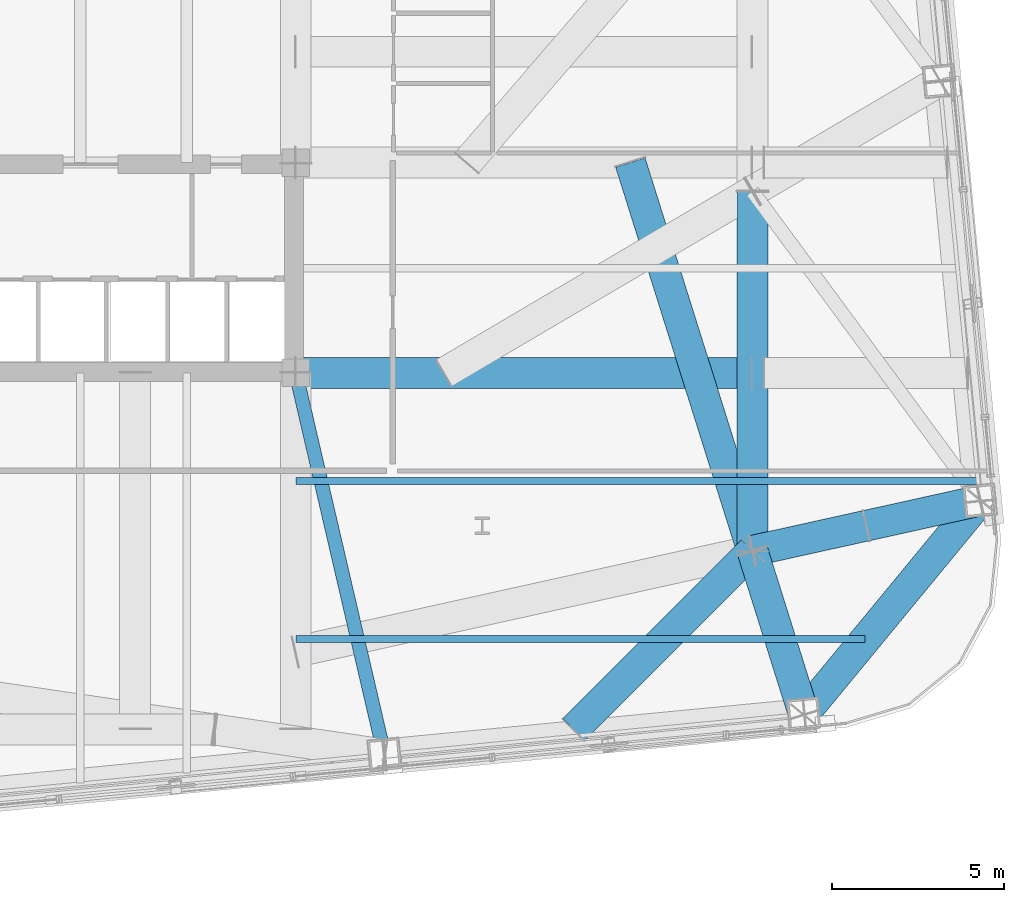
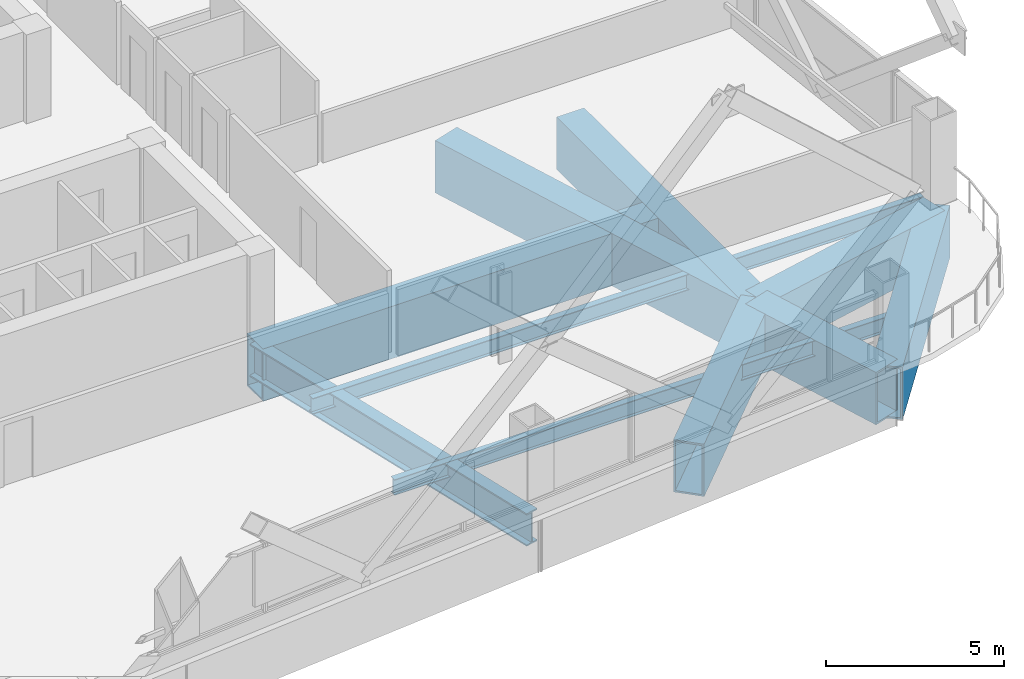
# One storey, part 17 of 42: 10 beams.
"""IFC4 building model written with IfcOpenShell, lengths in metres."""

import ifcopenshell
import ifcopenshell.guid

model = None  # the IFC model being written
_history = None  # IfcOwnerHistory: only IFC2X3 demands one
_inside = {}  # id of a spatial element -> (the spatial element, [elements in it])
_under = {}  # id of a project, library or spatial element -> (it, [spatial elements below it])
_declared = {}  # id of a project -> (the project, [libraries it declares])
_typed = {}  # id of a type object -> (the type object, [elements of that type])
_made_of = {}  # id of a material, layer set ... -> (it, [elements and type objects made of it])


def new_model(schema):
    """Start an empty IFC model of exactly this schema.

    Asked for "IFC4X3", IfcOpenShell would pick the latest addendum, in which some entities
    have other attributes; the version numbers below select the first issue.
    IFC2X3 requires an IfcOwnerHistory on every rooted entity: one is made here for all.
    """
    global model, _history
    if schema == "IFC4X3":
        model = ifcopenshell.file(schema_version=(4, 3, 0, 0))
    else:
        model = ifcopenshell.file(schema=schema)
    _inside.clear()
    _under.clear()
    _declared.clear()
    _typed.clear()
    _made_of.clear()
    _history = None
    if model.schema == "IFC2X3":
        org = make("IfcOrganization", Name="unknown")
        user = make(
            "IfcPersonAndOrganization",
            ThePerson=make("IfcPerson", FamilyName="unknown"),
            TheOrganization=org,
        )
        app = make(
            "IfcApplication",
            ApplicationDeveloper=org,
            Version="unknown",
            ApplicationFullName="unknown",
            ApplicationIdentifier="unknown",
        )
        _history = make(
            "IfcOwnerHistory",
            OwningUser=user,
            OwningApplication=app,
            ChangeAction="ADDED",
            CreationDate=0,
        )
    return model


def make(cls, **values):
    """One entity of the class cls with the attributes given. An attribute that is None is left unset."""
    return model.create_entity(
        cls, **{name: value for name, value in values.items() if value is not None}
    )


def rooted(cls, **values):
    """An entity with a GlobalId (a new one), such as an element, a storey or a relation."""
    return make(cls, GlobalId=ifcopenshell.guid.new(), OwnerHistory=_history, **values)


def si_unit(unit_type, name, prefix=None):
    """IfcSIUnit, for example si_unit("LENGTHUNIT", "METRE", prefix="MILLI")."""
    return make("IfcSIUnit", UnitType=unit_type, Prefix=prefix, Name=name)


def assignment(units):
    """IfcUnitAssignment: the units of a project."""
    return None if units is None else make("IfcUnitAssignment", Units=units)


def point(xyz):
    """IfcCartesianPoint."""
    return None if xyz is None else make("IfcCartesianPoint", Coordinates=xyz)


def direction(xyz):
    """IfcDirection."""
    return None if xyz is None else make("IfcDirection", DirectionRatios=xyz)


def frame(location, z_axis=None, x_axis=None):
    """IfcAxis2Placement3D, a coordinate frame: its origin and axes. An axis left out is left unset."""
    return make(
        "IfcAxis2Placement3D",
        Location=point(location),
        Axis=direction(z_axis),
        RefDirection=direction(x_axis),
    )


def frame_2d(location, x_axis=None):
    """IfcAxis2Placement2D, a coordinate frame in the plane: its origin and x axis."""
    return make(
        "IfcAxis2Placement2D", Location=point(location), RefDirection=direction(x_axis)
    )


def origin():
    """The frame at (0, 0, 0) with its axes left unset."""
    return frame((0.0, 0.0, 0.0))


def origin_2d():
    """The frame at (0, 0) in the plane with its x axis left unset."""
    return frame_2d((0.0, 0.0))


def place(relative_to, where):
    """IfcLocalPlacement: puts the frame where relative to a parent placement (None: the world)."""
    return make(
        "IfcLocalPlacement", PlacementRelTo=relative_to, RelativePlacement=where
    )


def context(
    kind, dimensions, precision=None, world=None, true_north=None, identifier=None
):
    """IfcGeometricRepresentationContext, for example the 3D "Model" context."""
    return make(
        "IfcGeometricRepresentationContext",
        ContextIdentifier=identifier,
        ContextType=kind,
        CoordinateSpaceDimension=dimensions,
        Precision=precision,
        WorldCoordinateSystem=world,
        TrueNorth=true_north,
    )


def subcontext(parent, identifier, kind, view, scale=None):
    """IfcGeometricRepresentationSubContext, for example "Body" below "Model"."""
    return make(
        "IfcGeometricRepresentationSubContext",
        ContextIdentifier=identifier,
        ContextType=kind,
        ParentContext=parent,
        TargetScale=scale,
        TargetView=view,
    )


def project(units=None, contexts=None):
    """IfcProject with its units and contexts."""
    return rooted(
        "IfcProject",
        Name="project",
        RepresentationContexts=contexts,
        UnitsInContext=assignment(units),
    )


def spatial(cls, under=None, at=None, **own):
    """A site, building, storey or space (cls), placed at a placement, below another one or the project."""
    s = rooted(cls, ObjectPlacement=at, **own)
    if under is not None:
        _under.setdefault(under.id(), (under, []))[1].append(s)
    return s


def profile(cls, at=None, kind="AREA", **sizes):
    """A parametric profile (cls). Its sizes go by their IFC names, for example OverallWidth=200.0."""
    return make(cls, ProfileType=kind, Position=at, **sizes)


def hollow_rectangle(**sizes):
    """IfcRectangleHollowProfileDef."""
    return profile("IfcRectangleHollowProfileDef", **sizes)


def i_section(**sizes):
    """IfcIShapeProfileDef."""
    return profile("IfcIShapeProfileDef", **sizes)


def extrude(swept, where, along, depth):
    """IfcExtrudedAreaSolid: the profile swept, set in the frame where, extruded along a direction by depth."""
    return make(
        "IfcExtrudedAreaSolid",
        SweptArea=swept,
        Position=where,
        ExtrudedDirection=direction(along),
        Depth=depth,
    )


def shape(context_of_items, identifier, shape_type, items):
    """IfcShapeRepresentation: the items that make up one representation, for example the "Body"."""
    return make(
        "IfcShapeRepresentation",
        ContextOfItems=context_of_items,
        RepresentationIdentifier=identifier,
        RepresentationType=shape_type,
        Items=items,
    )


def material(Name=None, Category=None):
    """IfcMaterial."""
    return make("IfcMaterial", Name=Name, Category=Category)


def material_profile(
    of_material, cross_section, Name=None, Category=None, Priority=None
):
    """IfcMaterialProfile: a cross section and its material."""
    return make(
        "IfcMaterialProfile",
        Name=Name,
        Material=of_material,
        Profile=cross_section,
        Priority=Priority,
        Category=Category,
    )


def profile_set(profiles, Name=None, composite=None):
    """IfcMaterialProfileSet."""
    return make(
        "IfcMaterialProfileSet",
        Name=Name,
        MaterialProfiles=profiles,
        CompositeProfile=composite,
    )


def made_of(thing, what):
    """Note that an element or type object is made of a material, layer set ...; save() writes the relation."""
    if what is not None:
        _made_of.setdefault(what.id(), (what, []))[1].append(thing)
    return thing


def type_object(cls, material=None, **own):
    """A type object (cls), such as IfcWallType, which elements share."""
    return made_of(rooted(cls, **own), material)


def element(
    cls,
    number,
    at=None,
    inside=None,
    cuts=None,
    type_object=None,
    material=None,
    context=None,
    identifier="Body",
    shape_type=None,
    held_by="IfcProductDefinitionShape",
    body=None,
    shapes=None,
    **own,
):
    """One element of the class cls, such as IfcWall. Its Tag is "e" and its number.

    at: its placement. inside: the storey or other place that contains it. cuts: it is an
    opening in that element (IfcRelVoidsElement). A single representation is given by context,
    identifier, shape_type and body (its items); several are given by shapes. held_by: the class
    of the entity that holds the representations. save() writes the other relations.
    """
    e = rooted(cls, Tag="e%d" % number, ObjectPlacement=at, **own)
    if body is not None:
        shapes = [shape(context, identifier, shape_type, body)]
    if shapes is not None:
        e.Representation = make(held_by, Representations=shapes)
    if inside is not None:
        _inside.setdefault(inside.id(), (inside, []))[1].append(e)
    if cuts is not None:
        rooted(
            "IfcRelVoidsElement", RelatingBuildingElement=cuts, RelatedOpeningElement=e
        )
    if type_object is not None:
        _typed.setdefault(type_object.id(), (type_object, []))[1].append(e)
    return made_of(e, material)


def aggregate(whole, parts):
    """IfcRelAggregates: a whole, such as a stair, and the parts it consists of."""
    return rooted("IfcRelAggregates", RelatingObject=whole, RelatedObjects=parts)


def save(model, path):
    """Write the relations noted so far, then the file.

    IfcRelAggregates (storeys below a building ...), IfcRelContainedInSpatialStructure (elements
    in a storey), IfcRelDefinesByType, IfcRelAssociatesMaterial and IfcRelDeclares: one each for
    every whole, place, type object, material and project.
    """
    for whole, parts in _under.values():
        aggregate(whole, parts)
    for where, things in _inside.values():
        rooted(
            "IfcRelContainedInSpatialStructure",
            RelatedElements=things,
            RelatingStructure=where,
        )
    for kind, things in _typed.values():
        rooted("IfcRelDefinesByType", RelatedObjects=things, RelatingType=kind)
    for what, things in _made_of.values():
        rooted("IfcRelAssociatesMaterial", RelatedObjects=things, RelatingMaterial=what)
    for by, libraries in _declared.values():
        rooted("IfcRelDeclares", RelatingContext=by, RelatedDefinitions=libraries)
    model.write(path)


model = new_model("IFC4")

# Units and contexts
model_context = context("Model", 3, precision=1e-05, world=origin(), true_north=direction((0.0, 1.0)))
body_context = subcontext(model_context, "Body", "Model", "MODEL_VIEW")
ifc_project = project(units=[si_unit("LENGTHUNIT", "METRE"), si_unit("AREAUNIT", "SQUARE_METRE"), si_unit("VOLUMEUNIT", "CUBIC_METRE"), si_unit("PLANEANGLEUNIT", "RADIAN"), si_unit("MASSUNIT", "GRAM", prefix="KILO")], contexts=[model_context])

# Site, building, storey
site_placement = place(None, origin())
site = spatial("IfcSite", under=ifc_project, at=site_placement, CompositionType="ELEMENT")
building_placement = place(site_placement, origin())
building = spatial("IfcBuilding", under=site, at=building_placement, Name="Qhalaya Broadcast Tower", CompositionType="ELEMENT")
storey_placement = place(building_placement, frame((0.0, 0.0, 69.449951171875)))
storey = spatial("IfcBuildingStorey", under=building, at=storey_placement, Name="L19", CompositionType="ELEMENT", Elevation=69.449951171875)

# Beams
ifc_material_1 = material(Name="Structural Steel ASTM A572 Grade 50", Category="steel")
ifc_material_profile_1 = material_profile(ifc_material_1, hollow_rectangle(XDim=0.89990234375, YDim=1.800048828125, WallThickness=0.06005859375, at=origin_2d()), Name="BOX 900x1800x60")
ifc_profile_set_1 = profile_set([ifc_material_profile_1], Name="Structural Steel ASTM A572 Grade 50")
beam_type_1 = type_object("IfcBeamType", Name="Block Cantilever Transfer Box Girder TG1", PredefinedType="USERDEFINED", material=ifc_profile_set_1)
beam_1_placement = place(storey_placement, frame((24.165283203125, -18.685546875, -1.119873046875), z_axis=(0.636052208619, 0.771646025008, 0.0), x_axis=(-0.771646025008, 0.636052208619, 0.0)))
element("IfcBeam", 1, at=beam_1_placement, inside=storey, type_object=beam_type_1, Name="L19 TG1 L19-SPR-04", ObjectType="GIRDER", PredefinedType="USERDEFINED", context=body_context, shape_type="SweptSolid", body=[
    extrude(hollow_rectangle(XDim=0.89990234375, YDim=1.800048828125, WallThickness=0.06005859375, at=origin_2d()), origin(), (0.0, 0.0, 1.0), 8.06103515625),
])
beam_2_placement = place(storey_placement, frame((17.469970703125, -19.1298828125, -1.119873046875), z_axis=(0.707106781187, 0.707106781187, 0.0), x_axis=(-0.707106781187, 0.707106781187, 0.0)))
element("IfcBeam", 2, at=beam_2_placement, inside=storey, type_object=beam_type_1, Name="L19 TG1 L19-TGL-04", ObjectType="GIRDER", PredefinedType="USERDEFINED", context=body_context, shape_type="SweptSolid", body=[
    extrude(hollow_rectangle(XDim=0.89990234375, YDim=1.800048828125, WallThickness=0.06005859375, at=origin_2d()), origin(), (0.0, 0.0, 1.0), 7.353759765625),
])
beam_3_placement = place(storey_placement, frame((22.669921875, -13.929931640625, -1.119873046875), z_axis=(0.0, 1.0, 0.0), x_axis=(-1.0, 0.0, 0.0)))
element("IfcBeam", 3, at=beam_3_placement, inside=storey, type_object=beam_type_1, Name="L19 TG1 L19-TGL-05", ObjectType="GIRDER", PredefinedType="USERDEFINED", context=body_context, shape_type="SweptSolid", body=[
    extrude(hollow_rectangle(XDim=0.89990234375, YDim=1.800048828125, WallThickness=0.06005859375, at=origin_2d()), origin(), (0.0, 0.0, 1.0), 10.466552734375),
])
beam_4_placement = place(storey_placement, frame((9.375, -8.75, -1.119873046875), z_axis=(1.0, 0.0, 0.0), x_axis=(0.0, 1.0, 0.0)))
element("IfcBeam", 4, at=beam_4_placement, inside=storey, type_object=beam_type_1, Name="L19 TG1 L19-TGIY1E-1", ObjectType="GIRDER", PredefinedType="USERDEFINED", context=body_context, shape_type="SweptSolid", body=[
    extrude(hollow_rectangle(XDim=0.89990234375, YDim=1.800048828125, WallThickness=0.06005859375, at=origin_2d()), origin(), (0.0, 0.0, 1.0), 13.2548828125),
])
beam_5_placement = place(storey_placement, frame((19.115478515625, -2.625, -1.119873046875), z_axis=(0.299939092398, -0.953958353835, 0.0), x_axis=(0.953958353835, 0.299939092398, 0.0)))
element("IfcBeam", 5, at=beam_5_placement, inside=storey, type_object=beam_type_1, Name="L19 Collinear Back-Span Transfer Box Girder 04", ObjectType="GIRDER", PredefinedType="USERDEFINED", context=body_context, shape_type="SweptSolid", body=[
    extrude(hollow_rectangle(XDim=0.89990234375, YDim=1.800048828125, WallThickness=0.06005859375, at=origin_2d()), origin(), (0.0, 0.0, 1.0), 11.8505859375),
])
beam_6_placement = place(storey_placement, frame((22.669921875, -13.929931640625, -1.119873046875), z_axis=(0.299961579633, -0.953951283213, 0.0), x_axis=(0.953951283213, 0.299961579633, 0.0)))
element("IfcBeam", 6, at=beam_6_placement, inside=storey, type_object=beam_type_1, Name="L19 Cantilever Transfer Box Girder 04", ObjectType="GIRDER", PredefinedType="USERDEFINED", context=body_context, shape_type="SweptSolid", body=[
    extrude(hollow_rectangle(XDim=0.89990234375, YDim=1.800048828125, WallThickness=0.06005859375, at=origin_2d()), origin(), (0.0, 0.0, 1.0), 4.985107421875),
])
beam_7_placement = place(storey_placement, frame((22.669921875, -13.929931640625, -1.119873046875), z_axis=(0.976407606647, 0.215935605407, 0.0), x_axis=(-0.215935605407, 0.976407606647, 0.0)))
element("IfcBeam", 7, at=beam_7_placement, inside=storey, type_object=beam_type_1, Name="L19 Cantilever Transfer Box Girder 05", ObjectType="GIRDER", PredefinedType="USERDEFINED", context=body_context, shape_type="SweptSolid", body=[
    extrude(hollow_rectangle(XDim=0.89990234375, YDim=1.800048828125, WallThickness=0.06005859375, at=origin_2d()), origin(), (0.0, 0.0, 1.0), 6.782470703125),
])
ifc_material_2 = material(Name="Structural Steel ASTM A992 Grade 50", Category="steel")
ifc_material_profile_2 = material_profile(ifc_material_2, i_section(OverallWidth=0.2099609375, OverallDepth=0.535888671875, WebThickness=0.010986328125, FlangeThickness=0.017333984375, at=origin_2d()), Name="W21X68")
ifc_profile_set_2 = profile_set([ifc_material_profile_2], Name="Structural Steel ASTM A992 Grade 50")
beam_type_2 = type_object("IfcBeamType", Name="Composite Floor Joist J02", PredefinedType="JOIST", material=ifc_profile_set_2)
beam_8_placement = place(storey_placement, frame((9.375, -16.5, -0.488037109375), z_axis=(1.0, 0.0, 0.0), x_axis=(0.0, 1.0, 0.0)))
element("IfcBeam", 8, at=beam_8_placement, inside=storey, type_object=beam_type_2, Name="L19 J02 L19-JWE1E-1", PredefinedType="JOIST", context=body_context, shape_type="SweptSolid", body=[
    extrude(i_section(OverallWidth=0.2099609375, OverallDepth=0.535888671875, WebThickness=0.010986328125, FlangeThickness=0.017333984375, at=origin_2d()), origin(), (0.0, 0.0, 1.0), 16.56591796875),
])
beam_9_placement = place(storey_placement, frame((9.375, -11.89990234375, -0.488037109375), z_axis=(1.0, 0.0, 0.0), x_axis=(0.0, 1.0, 0.0)))
element("IfcBeam", 9, at=beam_9_placement, inside=storey, type_object=beam_type_2, Name="L19 J02 L19-JWE2E-1", PredefinedType="JOIST", context=body_context, shape_type="SweptSolid", body=[
    extrude(i_section(OverallWidth=0.2099609375, OverallDepth=0.535888671875, WebThickness=0.010986328125, FlangeThickness=0.017333984375, at=origin_2d()), origin(), (0.0, 0.0, 1.0), 19.843017578125),
])
ifc_material_profile_3 = material_profile(ifc_material_2, i_section(OverallWidth=0.404052734375, OverallDepth=1.117919921875, WebThickness=0.026123046875, FlangeThickness=0.044921875, at=origin_2d()), Name="W44X335")
ifc_profile_set_3 = profile_set([ifc_material_profile_3], Name="Structural Steel ASTM A992 Grade 50")
beam_type_3 = type_object("IfcBeamType", Name="Podium Long-Span Primary Girder PG1", PredefinedType="USERDEFINED", material=ifc_profile_set_3)
beam_10_placement = place(storey_placement, frame((9.375, -8.75, -0.779052734375), z_axis=(0.226189545208, -0.97408330734, 0.0), x_axis=(0.97408330734, 0.226189545208, 0.0)))
element("IfcBeam", 10, at=beam_10_placement, inside=storey, type_object=beam_type_3, Name="L19 Column-to-Column Moment Tie Girder 03-1", ObjectType="GIRDER", PredefinedType="USERDEFINED", context=body_context, shape_type="SweptSolid", body=[
    extrude(i_section(OverallWidth=0.404052734375, OverallDepth=1.117919921875, WebThickness=0.026123046875, FlangeThickness=0.044921875, at=origin_2d()), origin(), (0.0, 0.0, 1.0), 11.40673828125),
])

save(model, "model.ifc")
